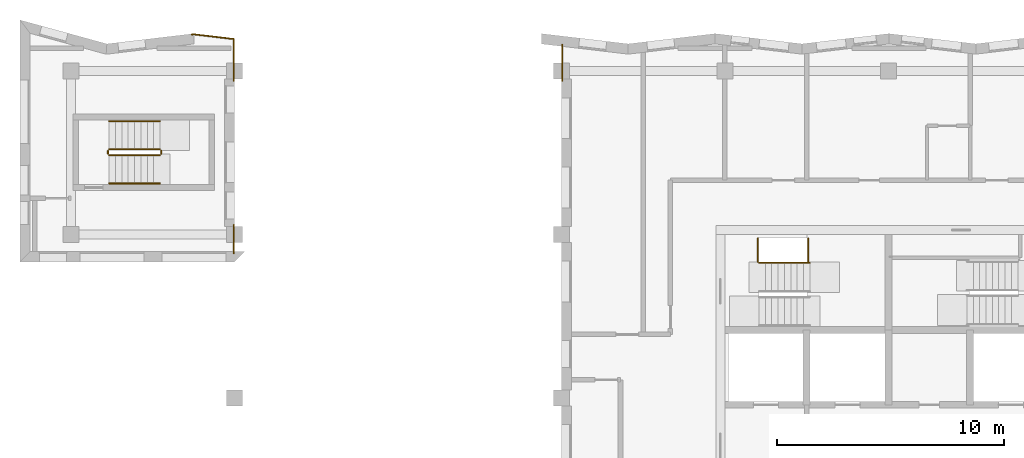
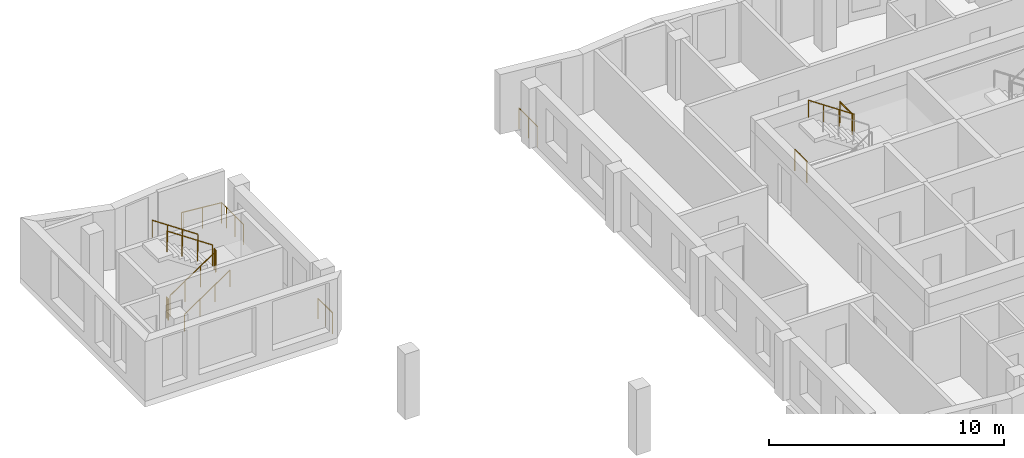
# One storey, part 10 of 12: 13 railings.
"""IFC4 building model written with IfcOpenShell, lengths in metres."""

from ifc_helpers import new_model, si_unit, direction, frame, origin, origin_2d, place, context, subcontext, project, spatial, circle, extrude, material, type_object, element, save


model = new_model("IFC4")

# Units and contexts
model_context = context("Model", 3, precision=1e-05, world=origin(), true_north=direction((0.0, 1.0)))
body_context = subcontext(model_context, "Body", "Model", "MODEL_VIEW")
ifc_project = project(units=[si_unit("LENGTHUNIT", "METRE"), si_unit("AREAUNIT", "SQUARE_METRE"), si_unit("VOLUMEUNIT", "CUBIC_METRE"), si_unit("PLANEANGLEUNIT", "RADIAN"), si_unit("MASSUNIT", "GRAM", prefix="KILO")], contexts=[model_context])

# Site, building, storey
site_placement = place(None, origin())
site = spatial("IfcSite", under=ifc_project, at=site_placement, CompositionType="ELEMENT")
building_placement = place(site_placement, origin())
building = spatial("IfcBuilding", under=site, at=building_placement, Name="Windrow Commons", CompositionType="ELEMENT")
storey_placement = place(building_placement, frame((0.0, 0.0, 260.8)))
storey = spatial("IfcBuildingStorey", under=building, at=storey_placement, Name="L71", CompositionType="ELEMENT", Elevation=260.8)

# Railings
ifc_material_1 = material(Name="Steel S355", Category="steel")
railing_type_1 = type_object("IfcRailingType", Name="Core stair guard 1100", PredefinedType="GUARDRAIL", material=ifc_material_1)
for number, where, name in (
    (1, (59.05, 63.6, 0.0), "L71 ST-A1 stair guard 3"),
    (2, (61.27, 63.6, 1.7), "L71 ST-A1 stair guard 4"),
):
    element("IfcRailing", number, at=place(storey_placement, frame(where)), inside=storey, type_object=railing_type_1, Name=name, PredefinedType="GUARDRAIL", context=body_context, shape_type="SweptSolid", body=[
        extrude(circle(Radius=0.024, at=origin_2d()), frame((0.0, 0.0, 1.076), z_axis=(0.0, 1.0, 0.0), x_axis=(-1.0, 0.0, 0.0)), (0.0, 0.0, 1.0), 1.03),
        extrude(circle(Radius=0.021, at=origin_2d()), origin(), (0.0, 0.0, 1.0), 1.052),
        extrude(circle(Radius=0.021, at=origin_2d()), frame((0.0, 1.03, 0.0)), (0.0, 0.0, 1.0), 1.052),
    ])
railing_1_placement = place(storey_placement, frame((30.475, 68.3, 0.1889)))
element("IfcRailing", 3, at=railing_1_placement, inside=storey, type_object=railing_type_1, Name="L71 ST-W stair guard 1", PredefinedType="GUARDRAIL", context=body_context, shape_type="SweptSolid", body=[
    extrude(circle(Radius=0.024, at=origin_2d()), frame((0.0, 0.0, 1.076), z_axis=(0.8290030985, 0.0, 0.5592440099), x_axis=(0.0, 1.0, 0.0)), (0.0, 0.0, 1.0), 2.702),
    extrude(circle(Radius=0.021, at=origin_2d()), origin(), (0.0, 0.0, 1.0), 1.052),
    extrude(circle(Radius=0.021, at=origin_2d()), frame((0.7467, 0.0, 0.5037)), (0.0, 0.0, 1.0), 1.052),
    extrude(circle(Radius=0.021, at=origin_2d()), frame((1.4933, 0.0, 1.0074)), (0.0, 0.0, 1.0), 1.052),
    extrude(circle(Radius=0.021, at=origin_2d()), frame((2.24, 0.0, 1.5111)), (0.0, 0.0, 1.0), 1.052),
])
railing_2_placement = place(storey_placement, frame((32.765, 68.35, 1.7)))
element("IfcRailing", 4, at=railing_2_placement, inside=storey, type_object=railing_type_1, Name="L71 ST-W stair guard 2", PredefinedType="GUARDRAIL", context=body_context, shape_type="SweptSolid", body=[
    extrude(circle(Radius=0.024, at=origin_2d()), frame((0.0, 0.0, 1.076), z_axis=(0.0, 1.0, 0.0), x_axis=(-1.0, 0.0, 0.0)), (0.0, 0.0, 1.0), 0.15),
    extrude(circle(Radius=0.021, at=origin_2d()), origin(), (0.0, 0.0, 1.0), 1.052),
    extrude(circle(Radius=0.021, at=origin_2d()), frame((0.0, 0.15, 0.0)), (0.0, 0.0, 1.0), 1.052),
])
railing_3_placement = place(storey_placement, frame((32.715, 68.55, 1.8889)))
element("IfcRailing", 5, at=railing_3_placement, inside=storey, type_object=railing_type_1, Name="L71 ST-W stair guard 3", PredefinedType="GUARDRAIL", context=body_context, shape_type="SweptSolid", body=[
    extrude(circle(Radius=0.024, at=origin_2d()), frame((0.0, 0.0, 1.076), z_axis=(-0.8290030985, 0.0, 0.5592440099), x_axis=(0.0, -1.0, 0.0)), (0.0, 0.0, 1.0), 2.702),
    extrude(circle(Radius=0.021, at=origin_2d()), origin(), (0.0, 0.0, 1.0), 1.052),
    extrude(circle(Radius=0.021, at=origin_2d()), frame((-0.7467, 0.0, 0.5037)), (0.0, 0.0, 1.0), 1.052),
    extrude(circle(Radius=0.021, at=origin_2d()), frame((-1.4933, 0.0, 1.0074)), (0.0, 0.0, 1.0), 1.052),
    extrude(circle(Radius=0.021, at=origin_2d()), frame((-2.24, 0.0, 1.5111)), (0.0, 0.0, 1.0), 1.052),
])
railing_4_placement = place(storey_placement, frame((30.425, 68.35, 0.0)))
element("IfcRailing", 6, at=railing_4_placement, inside=storey, type_object=railing_type_1, Name="L71 ST-W stair guard 4", PredefinedType="GUARDRAIL", context=body_context, shape_type="SweptSolid", body=[
    extrude(circle(Radius=0.024, at=origin_2d()), frame((0.0, 0.0, 1.076), z_axis=(0.0, 1.0, 0.0), x_axis=(-1.0, 0.0, 0.0)), (0.0, 0.0, 1.0), 0.15),
    extrude(circle(Radius=0.021, at=origin_2d()), origin(), (0.0, 0.0, 1.0), 1.052),
    extrude(circle(Radius=0.021, at=origin_2d()), frame((0.0, 0.15, 0.0)), (0.0, 0.0, 1.0), 1.052),
])
ifc_material_2 = material(Name="Steel S355", Category="steel")
railing_type_2 = type_object("IfcRailingType", Name="Core stair handrail 900", PredefinedType="HANDRAIL", material=ifc_material_2)
railing_5_placement = place(storey_placement, frame((61.34, 63.55, 1.8889)))
element("IfcRailing", 7, at=railing_5_placement, inside=storey, type_object=railing_type_2, Name="L71 ST-A1 stair handrail 2", PredefinedType="HANDRAIL", context=body_context, shape_type="SweptSolid", body=[
    extrude(circle(Radius=0.024, at=origin_2d()), frame((0.0, 0.0, 0.876), z_axis=(-0.8290030985, 0.0, 0.5592440099), x_axis=(0.0, -1.0, 0.0)), (0.0, 0.0, 1.0), 2.702),
    extrude(circle(Radius=0.021, at=origin_2d()), origin(), (0.0, 0.0, 1.0), 0.852),
    extrude(circle(Radius=0.021, at=origin_2d()), frame((-0.7467, 0.0, 0.5037)), (0.0, 0.0, 1.0), 0.852),
    extrude(circle(Radius=0.021, at=origin_2d()), frame((-1.4933, 0.0, 1.0074)), (0.0, 0.0, 1.0), 0.852),
    extrude(circle(Radius=0.021, at=origin_2d()), frame((-2.24, 0.0, 1.5111)), (0.0, 0.0, 1.0), 0.852),
])
railing_6_placement = place(storey_placement, frame((30.475, 67.05, 0.1889)))
element("IfcRailing", 8, at=railing_6_placement, inside=storey, type_object=railing_type_2, Name="L71 ST-W stair handrail 1", PredefinedType="HANDRAIL", context=body_context, shape_type="SweptSolid", body=[
    extrude(circle(Radius=0.024, at=origin_2d()), frame((0.0, 0.0, 0.876), z_axis=(0.8290030985, 0.0, 0.5592440099), x_axis=(0.0, 1.0, 0.0)), (0.0, 0.0, 1.0), 2.702),
    extrude(circle(Radius=0.021, at=origin_2d()), origin(), (0.0, 0.0, 1.0), 0.852),
    extrude(circle(Radius=0.021, at=origin_2d()), frame((0.7467, 0.0, 0.5037)), (0.0, 0.0, 1.0), 0.852),
    extrude(circle(Radius=0.021, at=origin_2d()), frame((1.4933, 0.0, 1.0074)), (0.0, 0.0, 1.0), 0.852),
    extrude(circle(Radius=0.021, at=origin_2d()), frame((2.24, 0.0, 1.5111)), (0.0, 0.0, 1.0), 0.852),
])
railing_7_placement = place(storey_placement, frame((32.715, 69.8, 1.8889)))
element("IfcRailing", 9, at=railing_7_placement, inside=storey, type_object=railing_type_2, Name="L71 ST-W stair handrail 2", PredefinedType="HANDRAIL", context=body_context, shape_type="SweptSolid", body=[
    extrude(circle(Radius=0.024, at=origin_2d()), frame((0.0, 0.0, 0.876), z_axis=(-0.8290030985, 0.0, 0.5592440099), x_axis=(0.0, -1.0, 0.0)), (0.0, 0.0, 1.0), 2.702),
    extrude(circle(Radius=0.021, at=origin_2d()), origin(), (0.0, 0.0, 1.0), 0.852),
    extrude(circle(Radius=0.021, at=origin_2d()), frame((-0.7467, 0.0, 0.5037)), (0.0, 0.0, 1.0), 0.852),
    extrude(circle(Radius=0.021, at=origin_2d()), frame((-1.4933, 0.0, 1.0074)), (0.0, 0.0, 1.0), 0.852),
    extrude(circle(Radius=0.021, at=origin_2d()), frame((-2.24, 0.0, 1.5111)), (0.0, 0.0, 1.0), 0.852),
])
ifc_material_3 = material(Name="Stainless steel S316 balustrade with toughened glass infill", Category="steel")
railing_type_3 = type_object("IfcRailingType", Name="Terrace guard 1100", PredefinedType="BALUSTRADE", material=ifc_material_3)
railing_8_placement = place(storey_placement, frame((50.43, 71.57, 0.0)))
element("IfcRailing", 10, at=railing_8_placement, inside=storey, type_object=railing_type_3, Name="Edge guard L71 2", PredefinedType="BALUSTRADE", context=body_context, shape_type="SweptSolid", body=[
    extrude(circle(Radius=0.025, at=origin_2d()), frame((0.0, 0.0, 1.075), z_axis=(0.0, 1.0, 0.0), x_axis=(-1.0, 0.0, 0.0)), (0.0, 0.0, 1.0), 1.598),
    extrude(circle(Radius=0.02, at=origin_2d()), origin(), (0.0, 0.0, 1.0), 1.05),
    extrude(circle(Radius=0.02, at=origin_2d()), frame((0.0, 0.799, 0.0)), (0.0, 0.0, 1.0), 1.05),
    extrude(circle(Radius=0.02, at=origin_2d()), frame((0.0, 1.598, 0.0)), (0.0, 0.0, 1.0), 1.05),
])
railing_9_placement = place(storey_placement, frame((34.1084, 73.6096, 0.0)))
element("IfcRailing", 11, at=railing_9_placement, inside=storey, type_object=railing_type_3, Name="Edge guard L71 3", PredefinedType="BALUSTRADE", context=body_context, shape_type="SweptSolid", body=[
    extrude(circle(Radius=0.025, at=origin_2d()), frame((0.0, 0.0, 1.075), z_axis=(0.993179, 0.116599631, 0.0), x_axis=(-0.116599631, 0.993179, 0.0)), (0.0, 0.0, 1.0), 0.0961),
    extrude(circle(Radius=0.025, at=origin_2d()), frame((0.0954, 0.0112, 1.075), z_axis=(0.9931302468, -0.1170141571, 0.0), x_axis=(0.1170141571, 0.9931302468, 0.0)), (0.0, 0.0, 1.0), 1.7784),
    extrude(circle(Radius=0.025, at=origin_2d()), frame((1.8616, -0.1969, 1.075), z_axis=(0.0, -1.0, 0.0), x_axis=(1.0, 0.0, 0.0)), (0.0, 0.0, 1.0), 0.3927),
    extrude(circle(Radius=0.02, at=origin_2d()), origin(), (0.0, 0.0, 1.0), 1.05),
    extrude(circle(Radius=0.02, at=origin_2d()), frame((0.0954, 0.0112, 0.0)), (0.0, 0.0, 1.0), 1.05),
    extrude(circle(Radius=0.02, at=origin_2d()), frame((0.9785, -0.0928, 0.0)), (0.0, 0.0, 1.0), 1.05),
    extrude(circle(Radius=0.02, at=origin_2d()), frame((1.8616, -0.1969, 0.0)), (0.0, 0.0, 1.0), 1.05),
    extrude(circle(Radius=0.02, at=origin_2d()), frame((1.8616, -0.5896, 0.0)), (0.0, 0.0, 1.0), 1.05),
])
railing_10_placement = place(storey_placement, frame((35.97, 65.23, 0.0)))
element("IfcRailing", 12, at=railing_10_placement, inside=storey, type_object=railing_type_3, Name="Edge guard L71 4", PredefinedType="BALUSTRADE", context=body_context, shape_type="SweptSolid", body=[
    extrude(circle(Radius=0.025, at=origin_2d()), frame((0.0, 0.0, 1.075), z_axis=(0.0, -1.0, 0.0), x_axis=(1.0, 0.0, 0.0)), (0.0, 0.0, 1.0), 1.26),
    extrude(circle(Radius=0.02, at=origin_2d()), origin(), (0.0, 0.0, 1.0), 1.05),
    extrude(circle(Radius=0.02, at=origin_2d()), frame((0.0, -0.63, 0.0)), (0.0, 0.0, 1.0), 1.05),
    extrude(circle(Radius=0.02, at=origin_2d()), frame((0.0, -1.26, 0.0)), (0.0, 0.0, 1.0), 1.05),
])
railing_11_placement = place(storey_placement, frame((35.97, 72.98, 0.0)))
element("IfcRailing", 13, at=railing_11_placement, inside=storey, type_object=railing_type_3, Name="Edge guard L71 5", PredefinedType="BALUSTRADE", context=body_context, shape_type="SweptSolid", body=[
    extrude(circle(Radius=0.025, at=origin_2d()), frame((0.0, 0.0, 1.075), z_axis=(0.0, -1.0, 0.0), x_axis=(1.0, 0.0, 0.0)), (0.0, 0.0, 1.0), 1.41),
    extrude(circle(Radius=0.02, at=origin_2d()), origin(), (0.0, 0.0, 1.0), 1.05),
    extrude(circle(Radius=0.02, at=origin_2d()), frame((0.0, -0.705, 0.0)), (0.0, 0.0, 1.0), 1.05),
    extrude(circle(Radius=0.02, at=origin_2d()), frame((0.0, -1.41, 0.0)), (0.0, 0.0, 1.0), 1.05),
])

save(model, "model.ifc")
